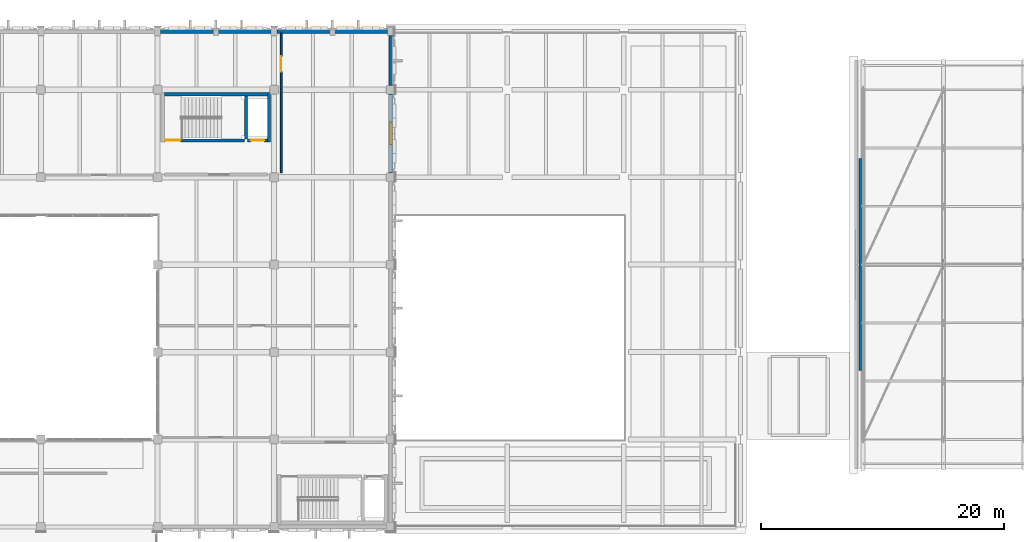
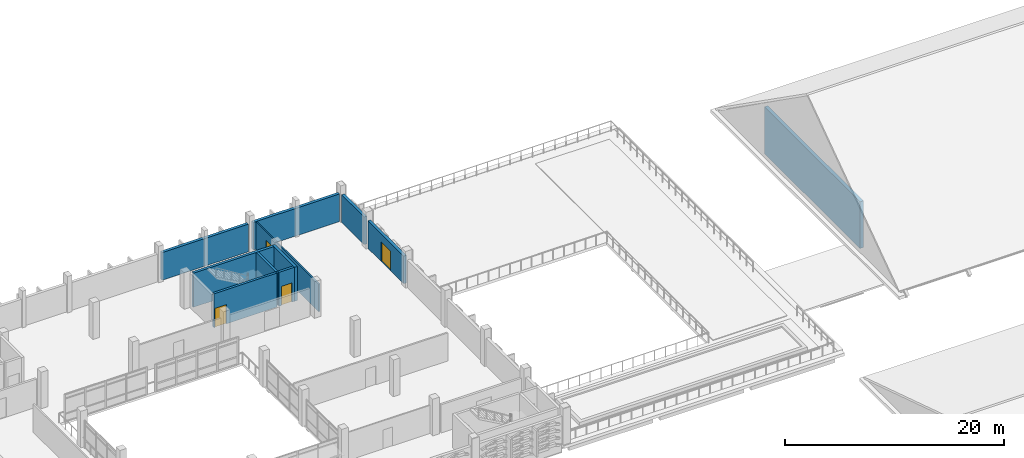
# One storey, part 115 of 134: 11 walls, 4 doors, 4 openings.
"""IFC4 building model written with IfcOpenShell, lengths in metres."""

from ifc_helpers import new_model, si_unit, direction, frame, frame_2d, origin, place, context, subcontext, project, spatial, rectangle, extrude, material, layer, layer_set, type_object, element, fill, save


model = new_model("IFC4")

# Units and contexts
model_context = context("Model", 3, precision=1e-05, world=origin(), true_north=direction((0.0, 1.0)))
body_context = subcontext(model_context, "Body", "Model", "MODEL_VIEW")
ifc_project = project(units=[si_unit("LENGTHUNIT", "METRE"), si_unit("AREAUNIT", "SQUARE_METRE"), si_unit("VOLUMEUNIT", "CUBIC_METRE"), si_unit("PLANEANGLEUNIT", "RADIAN"), si_unit("MASSUNIT", "GRAM", prefix="KILO")], contexts=[model_context])

# Site, building, storey
site_placement = place(None, origin())
site = spatial("IfcSite", under=ifc_project, at=site_placement, CompositionType="ELEMENT")
building_placement = place(site_placement, origin())
building = spatial("IfcBuilding", under=site, at=building_placement, Name="Asteropetra Specialist Clinic", CompositionType="ELEMENT")
storey_placement = place(building_placement, frame((0.0, 0.0, 8.5)))
storey = spatial("IfcBuildingStorey", under=building, at=storey_placement, Name="L02", CompositionType="ELEMENT", Elevation=8.5)

# Walls
ifc_material_1 = material(Name="Chevron terracotta mid", Category="masonry")
ifc_layer_1 = layer(ifc_material_1, 0.300048828125)
ifc_layer_set_1 = layer_set([ifc_layer_1], Name="Chevron terracotta mid")
wall_type_1 = type_object("IfcWallType", Name="EW-CHEV-TER-300", PredefinedType="SOLIDWALL", material=ifc_layer_set_1)
wall_1_placement = place(storey_placement, frame((38.14990234375, 110.39990234375, 0.0), z_axis=(0.0, 0.0, 1.0), x_axis=(-1.0, 0.0, 0.0)))
element("IfcWall", 1, at=wall_1_placement, inside=storey, type_object=wall_type_1, Name="Exterior Wall EW-0092", PredefinedType="SOLIDWALL", context=body_context, shape_type="SweptSolid", body=[
    extrude(rectangle(XDim=9.099853515625, YDim=0.300048828125, at=frame_2d((4.5498046875, 0.0))), origin(), (0.0, 0.0, 1.0), 3.080078125),
])
wall_2_placement = place(storey_placement, frame((47.75, 110.39990234375, 0.0), z_axis=(0.0, 0.0, 1.0), x_axis=(-1.0, 0.0, 0.0)))
element("IfcWall", 2, at=wall_2_placement, inside=storey, type_object=wall_type_1, Name="Exterior Wall EW-0094", PredefinedType="SOLIDWALL", context=body_context, shape_type="SweptSolid", body=[
    extrude(rectangle(XDim=9.10009765625, YDim=0.300048828125, at=frame_2d((4.550048828125, 0.0))), origin(), (0.0, 0.0, 1.0), 3.080078125),
])

# Wall, opening, door
wall_3_placement = place(storey_placement, frame((48.0, 98.75, 0.0), z_axis=(0.0, 0.0, 1.0), x_axis=(0.0, 1.0, 0.0)))
wall_3 = element("IfcWall", 3, at=wall_3_placement, inside=storey, type_object=wall_type_1, Name="Exterior Wall EW-0104", PredefinedType="SOLIDWALL", context=body_context, shape_type="SweptSolid", body=[
    extrude(rectangle(XDim=6.5, YDim=0.300048828125, at=frame_2d((3.25, 0.0))), origin(), (0.0, 0.0, 1.0), 3.080078125),
])
opening_1_placement = place(wall_3_placement, frame((2.35009765625, 0.0, 0.0)))
opening_1 = element("IfcOpeningElement", 4, at=opening_1_placement, cuts=wall_3, Name="Opening TD-11", PredefinedType="OPENING", context=body_context, shape_type="SweptSolid", body=[
    extrude(rectangle(XDim=1.800048828125, YDim=2.199951171875, at=frame_2d((0.89990234375, 1.10009765625))), frame((0.0, 0.159912109375, 0.0), z_axis=(0.0, -1.0, 0.0), x_axis=(1.0, 0.0, 0.0)), (0.0, 0.0, 1.0), 0.320068359375),
])
ifc_material_2 = material(Name="Bronze aluminium and low-E glass", Category="aluminium")
door_type_1 = type_object("IfcDoorType", Name="EDR-TER-1800", OperationType="DOUBLE_DOOR_SINGLE_SWING", PredefinedType="DOOR", material=ifc_material_2)
door_1_placement = place(opening_1_placement, origin())
door_1 = element("IfcDoor", 5, at=door_1_placement, inside=storey, type_object=door_type_1, Name="Exterior Door TD-11", OperationType="DOUBLE_DOOR_SINGLE_SWING", OverallHeight=2.199951171875, OverallWidth=1.800048828125, PredefinedType="DOOR", context=body_context, shape_type="SweptSolid", body=[
    extrude(rectangle(XDim=1.800048828125, YDim=2.199951171875, at=frame_2d((0.89990234375, 1.10009765625))), frame((0.0, 0.02490234375, 0.0), z_axis=(0.0, -1.0, 0.0), x_axis=(1.0, 0.0, 0.0)), (0.0, 0.0, 1.0), 0.050048828125),
])
fill(opening_1, door_1)

# Walls
wall_4_placement = place(storey_placement, frame((48.0, 105.949951171875, 0.0), z_axis=(0.0, 0.0, 1.0), x_axis=(0.0, 1.0, 0.0)))
element("IfcWall", 6, at=wall_4_placement, inside=storey, type_object=wall_type_1, Name="Exterior Wall EW-0106", PredefinedType="SOLIDWALL", context=body_context, shape_type="SweptSolid", body=[
    extrude(rectangle(XDim=4.10009765625, YDim=0.300048828125, at=frame_2d((2.050048828125, 0.0))), origin(), (0.0, 0.0, 1.0), 3.080078125),
])
ifc_material_3 = material(Name="Pentelic marble ashlar", Category="masonry")
ifc_layer_2 = layer(ifc_material_3, 0.360107421875)
ifc_layer_set_2 = layer_set([ifc_layer_2], Name="Pentelic marble ashlar")
wall_type_2 = type_object("IfcWallType", Name="EW-PENTELIC-360", PredefinedType="SOLIDWALL", material=ifc_layer_set_2)
wall_5_placement = place(storey_placement, frame((86.75, 82.464111328125, 0.239990234375), z_axis=(0.0, 0.0, 1.0), x_axis=(0.0, 1.0, 0.0)))
element("IfcWall", 7, at=wall_5_placement, inside=storey, type_object=wall_type_2, Name="Neoclassical Pediment Backup Wall TP-001", PredefinedType="SOLIDWALL", context=body_context, shape_type="SweptSolid", body=[
    extrude(rectangle(XDim=17.471923828125, YDim=0.360107421875, at=frame_2d((8.73583984375, 0.0))), origin(), (0.0, 0.0, 1.0), 5.218017578125),
])
ifc_material_4 = material(Name="Concrete C35/45", Category="concrete")
ifc_layer_3 = layer(ifc_material_4, 0.280029296875)
ifc_layer_set_3 = layer_set([ifc_layer_3], Name="Concrete C35/45")
wall_type_3 = type_object("IfcWallType", Name="W-CORE-280", PredefinedType="SHEAR", material=ifc_layer_set_3)
wall_6_placement = place(storey_placement, frame((37.97998046875, 101.300048828125, 0.0), z_axis=(0.0, 0.0, 1.0), x_axis=(0.0, 1.0, 0.0)))
element("IfcWall", 8, at=wall_6_placement, inside=storey, type_object=wall_type_3, Name="Core Wall CW-C2-L02-E", PredefinedType="SHEAR", context=body_context, shape_type="SweptSolid", body=[
    extrude(rectangle(XDim=4.079833984375, YDim=0.280029296875, at=frame_2d((2.0400390625, 0.0))), origin(), (0.0, 0.0, 1.0), 3.800048828125),
])
wall_7_placement = place(storey_placement, frame((29.35498046875, 105.239990234375, 0.0), z_axis=(0.0, 0.0, 1.0), x_axis=(1.0, 0.0, 0.0)))
element("IfcWall", 9, at=wall_7_placement, inside=storey, type_object=wall_type_3, Name="Core Wall CW-C2-L02-BACK", PredefinedType="SHEAR", context=body_context, shape_type="SweptSolid", body=[
    extrude(rectangle(XDim=8.489990234375, YDim=0.280029296875, at=frame_2d((4.2451171875, 0.0))), origin(), (0.0, 0.0, 1.0), 3.800048828125),
])

# Wall, opening, door
ifc_material_5 = material(Name="Laboratory partition", Category="masonry")
ifc_layer_4 = layer(ifc_material_5, 0.139892578125)
ifc_layer_set_4 = layer_set([ifc_layer_4], Name="Laboratory partition")
wall_type_4 = type_object("IfcWallType", Name="W-PART-140", PredefinedType="PARTITIONING", material=ifc_layer_set_4)
wall_8_placement = place(storey_placement, frame((38.97998046875, 98.7548828125, 0.0), z_axis=(0.0, 0.0, 1.0), x_axis=(0.0, 1.0, 0.0)))
wall_8 = element("IfcWall", 10, at=wall_8_placement, inside=storey, type_object=wall_type_4, Name="Interior Partition PW-0132", PredefinedType="PARTITIONING", context=body_context, shape_type="SweptSolid", body=[
    extrude(rectangle(XDim=11.4931640625, YDim=0.139892578125, at=frame_2d((5.74658203125, 0.0))), origin(), (0.0, 0.0, 1.0), 3.080078125),
])
opening_2_placement = place(wall_8_placement, frame((8.339599609375, 0.0, 0.0)))
opening_2 = element("IfcOpeningElement", 11, at=opening_2_placement, cuts=wall_8, Name="Opening ID-0086", PredefinedType="OPENING", context=body_context, shape_type="SweptSolid", body=[
    extrude(rectangle(XDim=1.25, YDim=2.1201171875, at=frame_2d((0.625, 1.06005859375))), frame((0.0, 0.079833984375, 0.0), z_axis=(0.0, -1.0, 0.0), x_axis=(1.0, 0.0, 0.0)), (0.0, 0.0, 1.0), 0.159912109375),
])
ifc_material_6 = material(Name="Antimicrobial laminate timber leaf in steel frame", Category="steel")
door_type_2 = type_object("IfcDoorType", Name="ID-SEMIN-1250", OperationType="NOTDEFINED", PredefinedType="DOOR", material=ifc_material_6)
door_2_placement = place(opening_2_placement, origin())
door_2 = element("IfcDoor", 12, at=door_2_placement, inside=storey, type_object=door_type_2, Name="Interior Door ID-0086", OperationType="SINGLE_SWING_LEFT", OverallHeight=2.1201171875, OverallWidth=1.25, PredefinedType="DOOR", context=body_context, shape_type="SweptSolid", body=[
    extrude(rectangle(XDim=1.25, YDim=2.1201171875, at=frame_2d((0.625, 1.06005859375))), frame((0.0, 0.02490234375, 0.0), z_axis=(0.0, -1.0, 0.0), x_axis=(1.0, 0.0, 0.0)), (0.0, 0.0, 1.0), 0.050048828125),
])
fill(opening_2, door_2)

# Wall
ifc_material_7 = material(Name="Concrete C35/45", Category="concrete")
ifc_layer_5 = layer(ifc_material_7, 0.25)
ifc_layer_set_5 = layer_set([ifc_layer_5], Name="Concrete C35/45")
wall_type_5 = type_object("IfcWallType", Name="W-SHAFT-250", PredefinedType="SHEAR", material=ifc_layer_set_5)
wall_9_placement = place(storey_placement, frame((36.10009765625, 101.56005859375, 0.0), z_axis=(0.0, 0.0, 1.0), x_axis=(0.0, 1.0, 0.0)))
element("IfcWall", 13, at=wall_9_placement, inside=storey, type_object=wall_type_5, Name="Core Wall CW-C2-L02-MID", PredefinedType="SHEAR", context=body_context, shape_type="SweptSolid", body=[
    extrude(rectangle(XDim=3.5400390625, YDim=0.25, at=frame_2d((1.77001953125, 0.0))), origin(), (0.0, 0.0, 1.0), 3.800048828125),
])

# Wall, opening, door
wall_10_placement = place(storey_placement, frame((29.35498046875, 101.43994140625, 0.0), z_axis=(0.0, 0.0, 1.0), x_axis=(1.0, 0.0, 0.0)))
wall_10 = element("IfcWall", 14, at=wall_10_placement, inside=storey, type_object=wall_type_5, Name="Core Wall CW-C2-L02-STDIV", PredefinedType="SHEAR", context=body_context, shape_type="SweptSolid", body=[
    extrude(rectangle(XDim=6.625, YDim=0.25, at=frame_2d((3.3125, 0.0))), origin(), (0.0, 0.0, 1.0), 3.800048828125),
])
opening_3_placement = place(wall_10_placement, frame((0.080078125, 0.0, 0.0)))
opening_3 = element("IfcOpeningElement", 15, at=opening_3_placement, cuts=wall_10, Name="Opening FD-017", PredefinedType="OPENING", context=body_context, shape_type="SweptSolid", body=[
    extrude(rectangle(XDim=1.239990234375, YDim=2.14990234375, at=frame_2d((0.6201171875, 1.074951171875))), frame((0.0, 0.135009765625, 0.0), z_axis=(0.0, -1.0, 0.0), x_axis=(1.0, 0.0, 0.0)), (0.0, 0.0, 1.0), 0.27001953125),
])
ifc_material_8 = material(Name="Fire-rated steel and vision glass door", Category="steel")
door_type_3 = type_object("IfcDoorType", Name="FD-STAIR-1400", OperationType="DOUBLE_DOOR_SINGLE_SWING", PredefinedType="DOOR", material=ifc_material_8)
door_3_placement = place(opening_3_placement, origin())
door_3 = element("IfcDoor", 16, at=door_3_placement, inside=storey, type_object=door_type_3, Name="Stair Fire Door FD-017", OperationType="DOUBLE_DOOR_SINGLE_SWING", OverallHeight=2.14990234375, OverallWidth=1.239990234375, PredefinedType="DOOR", context=body_context, shape_type="SweptSolid", body=[
    extrude(rectangle(XDim=1.239990234375, YDim=2.14990234375, at=frame_2d((0.6201171875, 1.074951171875))), frame((0.0, 0.02490234375, 0.0), z_axis=(0.0, -1.0, 0.0), x_axis=(1.0, 0.0, 0.0)), (0.0, 0.0, 1.0), 0.050048828125),
])
fill(opening_3, door_3)

wall_11_placement = place(storey_placement, frame((36.219970703125, 101.43994140625, 0.0), z_axis=(0.0, 0.0, 1.0), x_axis=(1.0, 0.0, 0.0)))
wall_11 = element("IfcWall", 17, at=wall_11_placement, inside=storey, type_object=wall_type_5, Name="Lift Shaft Front Wall CW-C2-L02-LFTF", PredefinedType="SHEAR", context=body_context, shape_type="SweptSolid", body=[
    extrude(rectangle(XDim=1.625, YDim=0.25, at=frame_2d((0.8125, 0.0))), origin(), (0.0, 0.0, 1.0), 3.800048828125),
])
opening_4_placement = place(wall_11_placement, frame((0.262451171875, 0.0, 0.0)))
opening_4 = element("IfcOpeningElement", 18, at=opening_4_placement, cuts=wall_11, Name="Opening LD-009", PredefinedType="OPENING", context=body_context, shape_type="SweptSolid", body=[
    extrude(rectangle(XDim=1.10009765625, YDim=2.14990234375, at=frame_2d((0.550048828125, 1.074951171875))), frame((0.0, 0.135009765625, 0.0), z_axis=(0.0, -1.0, 0.0), x_axis=(1.0, 0.0, 0.0)), (0.0, 0.0, 1.0), 0.27001953125),
])
ifc_material_9 = material(Name="Brushed stainless steel sliding lift landing door", Category="steel")
door_type_4 = type_object("IfcDoorType", Name="LD-PASS-1100", OperationType="DOUBLE_DOOR_SLIDING", PredefinedType="DOOR", material=ifc_material_9)
door_4_placement = place(opening_4_placement, origin())
door_4 = element("IfcDoor", 19, at=door_4_placement, inside=storey, type_object=door_type_4, Name="Lift Landing Door LD-009", OperationType="DOUBLE_DOOR_SLIDING", OverallHeight=2.14990234375, OverallWidth=1.10009765625, PredefinedType="DOOR", context=body_context, shape_type="SweptSolid", body=[
    extrude(rectangle(XDim=1.10009765625, YDim=2.14990234375, at=frame_2d((0.550048828125, 1.074951171875))), frame((0.0, 0.02490234375, 0.0), z_axis=(0.0, -1.0, 0.0), x_axis=(1.0, 0.0, 0.0)), (0.0, 0.0, 1.0), 0.050048828125),
])
fill(opening_4, door_4)

save(model, "model.ifc")
